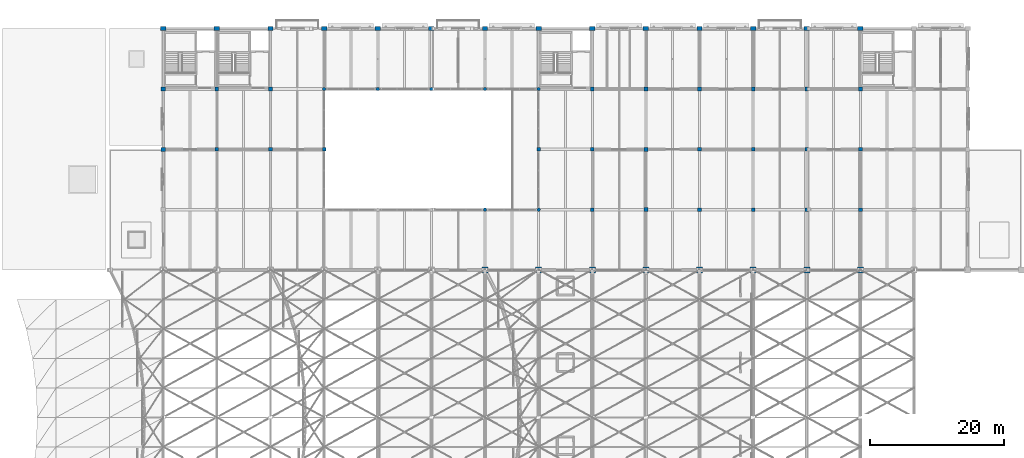
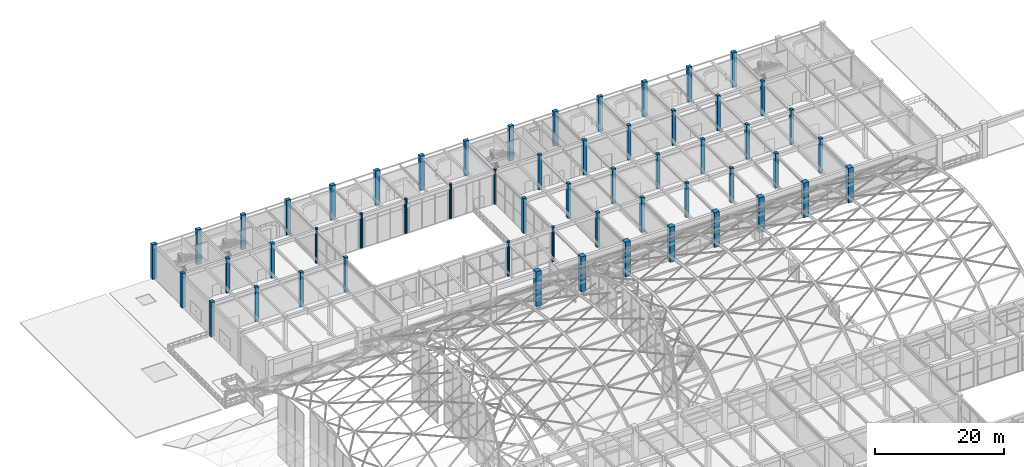
# One storey, part 5 of 163: 55 columns.
"""IFC4 building model written with IfcOpenShell, lengths in metres."""

from ifc_helpers import new_model, si_unit, direction, frame, origin, origin_2d, place, context, subcontext, project, spatial, rectangle, circle, extrude, material, material_profile, profile_set, type_object, element, save


model = new_model("IFC4")

# Units and contexts
model_context = context("Model", 3, precision=1e-05, world=origin(), true_north=direction((0.0, 1.0)))
body_context = subcontext(model_context, "Body", "Model", "MODEL_VIEW")
ifc_project = project(units=[si_unit("LENGTHUNIT", "METRE"), si_unit("AREAUNIT", "SQUARE_METRE"), si_unit("VOLUMEUNIT", "CUBIC_METRE"), si_unit("PLANEANGLEUNIT", "RADIAN"), si_unit("MASSUNIT", "GRAM", prefix="KILO")], contexts=[model_context])

# Site, building, storey
site_placement = place(None, origin())
site = spatial("IfcSite", under=ifc_project, at=site_placement, CompositionType="ELEMENT")
building_placement = place(site_placement, origin())
building = spatial("IfcBuilding", under=site, at=building_placement, Name="Varnabhumi Central Station", CompositionType="ELEMENT")
storey_placement = place(building_placement, frame((0.0, 0.0, 9.60009765625)))
storey = spatial("IfcBuildingStorey", under=building, at=storey_placement, Name="L02", CompositionType="ELEMENT", Elevation=9.60009765625)

# Columns
ifc_material_1 = material(Name="Concrete M40", Category="concrete")
ifc_material_profile_1 = material_profile(ifc_material_1, rectangle(XDim=0.60009765625, YDim=0.60009765625, at=origin_2d()), Name="Concrete M40", Category="concrete")
ifc_profile_set_1 = profile_set([ifc_material_profile_1], Name="Concrete M40")
column_type_1 = type_object("IfcColumnType", Name="COL-NORTH-600", PredefinedType="COLUMN", material=ifc_profile_set_1)
for number, where, z_axis, x_axis, name in (
    (1, (24.0, 98.0, 0.0), (0.0, 0.0, 1.0), (1.0, 0.0, 0.0), "Column L02-4M"),
    (2, (24.0, 107.0, 0.0), (0.0, 0.0, 1.0), (1.0, 0.0, 0.0), "Column L02-4N"),
    (3, (96.0, 89.0, 0.0), (0.0, 0.0, 1.0), (1.0, 0.0, 0.0), "Column L02-13L"),
    (4, (96.0, 98.0, 0.0), (0.0, 0.0, 1.0), (1.0, 0.0, 0.0), "Column L02-13M"),
    (5, (96.0, 107.0, 0.0), (0.0, 0.0, 1.0), (1.0, 0.0, 0.0), "Column L02-13N"),
):
    element("IfcColumn", number, at=place(storey_placement, frame(where, z_axis=z_axis, x_axis=x_axis)), inside=storey, type_object=column_type_1, Name=name, PredefinedType="COLUMN", context=body_context, shape_type="SweptSolid", body=[
        extrude(rectangle(XDim=0.60009765625, YDim=0.60009765625, at=origin_2d()), origin(), (0.0, 0.0, 1.0), 6.599853515625),
    ])
ifc_material_profile_2 = material_profile(ifc_material_1, rectangle(XDim=0.550048828125, YDim=0.550048828125, at=origin_2d()), Name="Concrete M40", Category="concrete")
ifc_profile_set_2 = profile_set([ifc_material_profile_2], Name="Concrete M40")
column_type_2 = type_object("IfcColumnType", Name="COL-RC-550", PredefinedType="COLUMN", material=ifc_profile_set_2)
for number, where, z_axis, x_axis, name in (
    (6, (32.0, 98.0, 0.0), (0.0, 0.0, 1.0), (1.0, 0.0, 0.0), "Column L02-5M"),
    (7, (32.0, 107.0, 0.0), (0.0, 0.0, 1.0), (1.0, 0.0, 0.0), "Column L02-5N"),
    (8, (40.0, 98.0, 0.0), (0.0, 0.0, 1.0), (1.0, 0.0, 0.0), "Column L02-6M"),
    (9, (40.0, 107.0, 0.0), (0.0, 0.0, 1.0), (1.0, 0.0, 0.0), "Column L02-6N"),
    (10, (48.0, 98.0, 0.0), (0.0, 0.0, 1.0), (1.0, 0.0, 0.0), "Column L02-7M"),
    (11, (80.0, 98.0, 0.0), (0.0, 0.0, 1.0), (1.0, 0.0, 0.0), "Column L02-11M"),
    (12, (88.0, 89.0, 0.0), (0.0, 0.0, 1.0), (1.0, 0.0, 0.0), "Column L02-12L"),
    (13, (88.0, 98.0, 0.0), (0.0, 0.0, 1.0), (1.0, 0.0, 0.0), "Column L02-12M"),
    (14, (88.0, 107.0, 0.0), (0.0, 0.0, 1.0), (1.0, 0.0, 0.0), "Column L02-12N"),
    (15, (104.0, 89.0, 0.0), (0.0, 0.0, 1.0), (1.0, 0.0, 0.0), "Column L02-14L"),
    (16, (104.0, 98.0, 0.0), (0.0, 0.0, 1.0), (1.0, 0.0, 0.0), "Column L02-14M"),
    (17, (104.0, 107.0, 0.0), (0.0, 0.0, 1.0), (1.0, 0.0, 0.0), "Column L02-14N"),
    (18, (112.0, 89.0, 0.0), (0.0, 0.0, 1.0), (1.0, 0.0, 0.0), "Column L02-15L"),
    (19, (112.0, 98.0, 0.0), (0.0, 0.0, 1.0), (1.0, 0.0, 0.0), "Column L02-15M"),
    (20, (112.0, 107.0, 0.0), (0.0, 0.0, 1.0), (1.0, 0.0, 0.0), "Column L02-15N"),
    (21, (120.0, 89.0, 0.0), (0.0, 0.0, 1.0), (1.0, 0.0, 0.0), "Column L02-16L"),
    (22, (120.0, 98.0, 0.0), (0.0, 0.0, 1.0), (1.0, 0.0, 0.0), "Column L02-16M"),
    (23, (120.0, 107.0, 0.0), (0.0, 0.0, 1.0), (1.0, 0.0, 0.0), "Column L02-16N"),
    (24, (128.0, 89.0, 0.0), (0.0, 0.0, 1.0), (1.0, 0.0, 0.0), "Column L02-17L"),
    (25, (128.0, 98.0, 0.0), (0.0, 0.0, 1.0), (1.0, 0.0, 0.0), "Column L02-17M"),
    (26, (128.0, 107.0, 0.0), (0.0, 0.0, 1.0), (1.0, 0.0, 0.0), "Column L02-17N"),
):
    element("IfcColumn", number, at=place(storey_placement, frame(where, z_axis=z_axis, x_axis=x_axis)), inside=storey, type_object=column_type_2, Name=name, PredefinedType="COLUMN", context=body_context, shape_type="SweptSolid", body=[
        extrude(rectangle(XDim=0.550048828125, YDim=0.550048828125, at=origin_2d()), origin(), (0.0, 0.0, 1.0), 6.599853515625),
    ])
ifc_material_profile_3 = material_profile(ifc_material_1, rectangle(XDim=0.800048828125, YDim=0.60009765625, at=origin_2d()), Name="Concrete M40", Category="concrete")
ifc_profile_set_3 = profile_set([ifc_material_profile_3], Name="Concrete M40")
column_type_3 = type_object("IfcColumnType", Name="COL-RC-800x600", PredefinedType="PILASTER", material=ifc_profile_set_3)
for number, where, z_axis, x_axis, name in (
    (27, (24.0, 116.0, 0.0), (0.0, 0.0, 1.0), (1.0, 0.0, 0.0), "Column L02-4P"),
    (28, (32.0, 116.0, 0.0), (0.0, 0.0, 1.0), (1.0, 0.0, 0.0), "Column L02-5P"),
    (29, (40.0, 116.0, 0.0), (0.0, 0.0, 1.0), (1.0, 0.0, 0.0), "Column L02-6P"),
    (30, (48.0, 116.0, 0.0), (0.0, 0.0, 1.0), (1.0, 0.0, 0.0), "Column L02-7P"),
    (31, (56.0, 116.0, 0.0), (0.0, 0.0, 1.0), (1.0, 0.0, 0.0), "Column L02-8P"),
    (32, (64.0, 116.0, 0.0), (0.0, 0.0, 1.0), (1.0, 0.0, 0.0), "Column L02-9P"),
    (33, (72.0, 116.0, 0.0), (0.0, 0.0, 1.0), (1.0, 0.0, 0.0), "Column L02-10P"),
    (34, (80.0, 116.0, 0.0), (0.0, 0.0, 1.0), (1.0, 0.0, 0.0), "Column L02-11P"),
    (35, (88.0, 116.0, 0.0), (0.0, 0.0, 1.0), (1.0, 0.0, 0.0), "Column L02-12P"),
    (36, (96.0, 116.0, 0.0), (0.0, 0.0, 1.0), (1.0, 0.0, 0.0), "Column L02-13P"),
    (37, (104.0, 116.0, 0.0), (0.0, 0.0, 1.0), (1.0, 0.0, 0.0), "Column L02-14P"),
    (38, (112.0, 116.0, 0.0), (0.0, 0.0, 1.0), (1.0, 0.0, 0.0), "Column L02-15P"),
    (39, (120.0, 116.0, 0.0), (0.0, 0.0, 1.0), (1.0, 0.0, 0.0), "Column L02-16P"),
    (40, (128.0, 116.0, 0.0), (0.0, 0.0, 1.0), (1.0, 0.0, 0.0), "Column L02-17P"),
):
    element("IfcColumn", number, at=place(storey_placement, frame(where, z_axis=z_axis, x_axis=x_axis)), inside=storey, type_object=column_type_3, Name=name, PredefinedType="PILASTER", context=body_context, shape_type="SweptSolid", body=[
        extrude(rectangle(XDim=0.800048828125, YDim=0.60009765625, at=origin_2d()), origin(), (0.0, 0.0, 1.0), 6.599853515625),
    ])
ifc_material_profile_4 = material_profile(ifc_material_1, circle(Radius=0.25, at=origin_2d()), Name="Concrete M40", Category="concrete")
ifc_profile_set_4 = profile_set([ifc_material_profile_4], Name="Concrete M40")
column_type_4 = type_object("IfcColumnType", Name="COL-RC-D500", PredefinedType="COLUMN", material=ifc_profile_set_4)
for number, where, z_axis, x_axis, name in (
    (41, (48.0, 107.0, 0.0), (0.0, 0.0, 1.0), (1.0, 0.0, 0.0), "Column L02-7N"),
    (42, (56.0, 107.0, 0.0), (0.0, 0.0, 1.0), (1.0, 0.0, 0.0), "Column L02-8N"),
    (43, (64.0, 107.0, 0.0), (0.0, 0.0, 1.0), (1.0, 0.0, 0.0), "Column L02-9N"),
    (44, (72.0, 89.0, 0.0), (0.0, 0.0, 1.0), (1.0, 0.0, 0.0), "Column L02-10L"),
    (45, (72.0, 107.0, 0.0), (0.0, 0.0, 1.0), (1.0, 0.0, 0.0), "Column L02-10N"),
    (46, (80.0, 89.0, 0.0), (0.0, 0.0, 1.0), (1.0, 0.0, 0.0), "Column L02-11L"),
    (47, (80.0, 107.0, 0.0), (0.0, 0.0, 1.0), (1.0, 0.0, 0.0), "Column L02-11N"),
):
    element("IfcColumn", number, at=place(storey_placement, frame(where, z_axis=z_axis, x_axis=x_axis)), inside=storey, type_object=column_type_4, Name=name, PredefinedType="COLUMN", context=body_context, shape_type="SweptSolid", body=[
        extrude(circle(Radius=0.25, at=origin_2d()), origin(), (0.0, 0.0, 1.0), 6.599853515625),
    ])
ifc_material_2 = material(Name="Concrete M50", Category="concrete")
ifc_material_profile_5 = material_profile(ifc_material_2, rectangle(XDim=0.89990234375, YDim=0.89990234375, at=origin_2d()), Name="Concrete M50", Category="concrete")
ifc_profile_set_5 = profile_set([ifc_material_profile_5], Name="Concrete M50")
column_type_5 = type_object("IfcColumnType", Name="COL-SPINE-M50-900x900", PredefinedType="COLUMN", material=ifc_profile_set_5)
for number, where, z_axis, x_axis, name in (
    (48, (72.0, 80.0, 0.0), (0.0, 0.0, 1.0), (1.0, 0.0, 0.0), "Column L02-10K"),
    (49, (80.0, 80.0, 0.0), (0.0, 0.0, 1.0), (1.0, 0.0, 0.0), "Column L02-11K"),
    (50, (88.0, 80.0, 0.0), (0.0, 0.0, 1.0), (1.0, 0.0, 0.0), "Column L02-12K"),
    (51, (96.0, 80.0, 0.0), (0.0, 0.0, 1.0), (1.0, 0.0, 0.0), "Column L02-13K"),
    (52, (104.0, 80.0, 0.0), (0.0, 0.0, 1.0), (1.0, 0.0, 0.0), "Column L02-14K"),
    (53, (112.0, 80.0, 0.0), (0.0, 0.0, 1.0), (1.0, 0.0, 0.0), "Column L02-15K"),
    (54, (120.0, 80.0, 0.0), (0.0, 0.0, 1.0), (1.0, 0.0, 0.0), "Column L02-16K"),
    (55, (128.0, 80.0, 0.0), (0.0, 0.0, 1.0), (1.0, 0.0, 0.0), "Column L02-17K"),
):
    element("IfcColumn", number, at=place(storey_placement, frame(where, z_axis=z_axis, x_axis=x_axis)), inside=storey, type_object=column_type_5, Name=name, PredefinedType="COLUMN", context=body_context, shape_type="SweptSolid", body=[
        extrude(rectangle(XDim=0.89990234375, YDim=0.89990234375, at=origin_2d()), origin(), (0.0, 0.0, 1.0), 6.599853515625),
    ])

save(model, "model.ifc")
